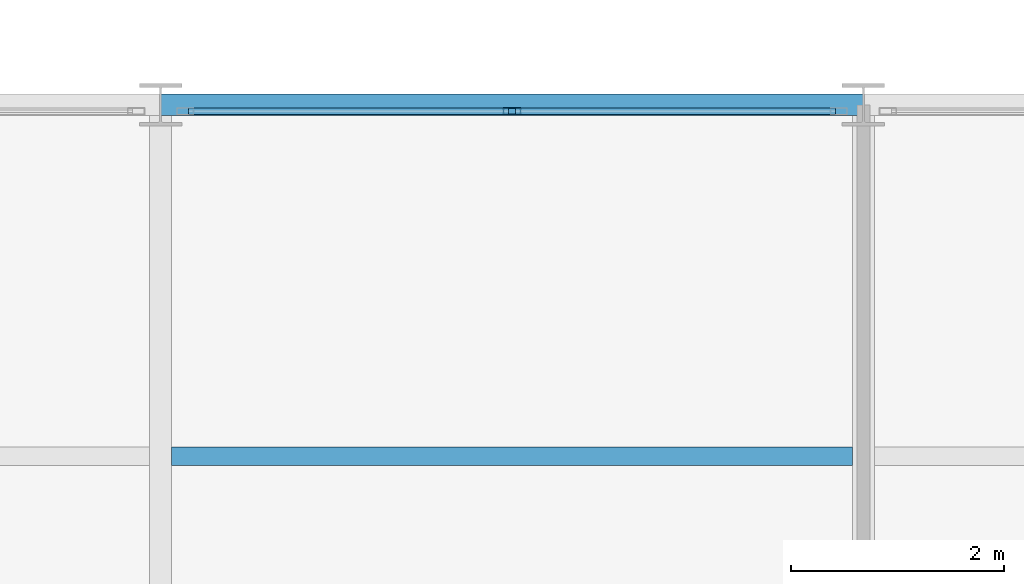
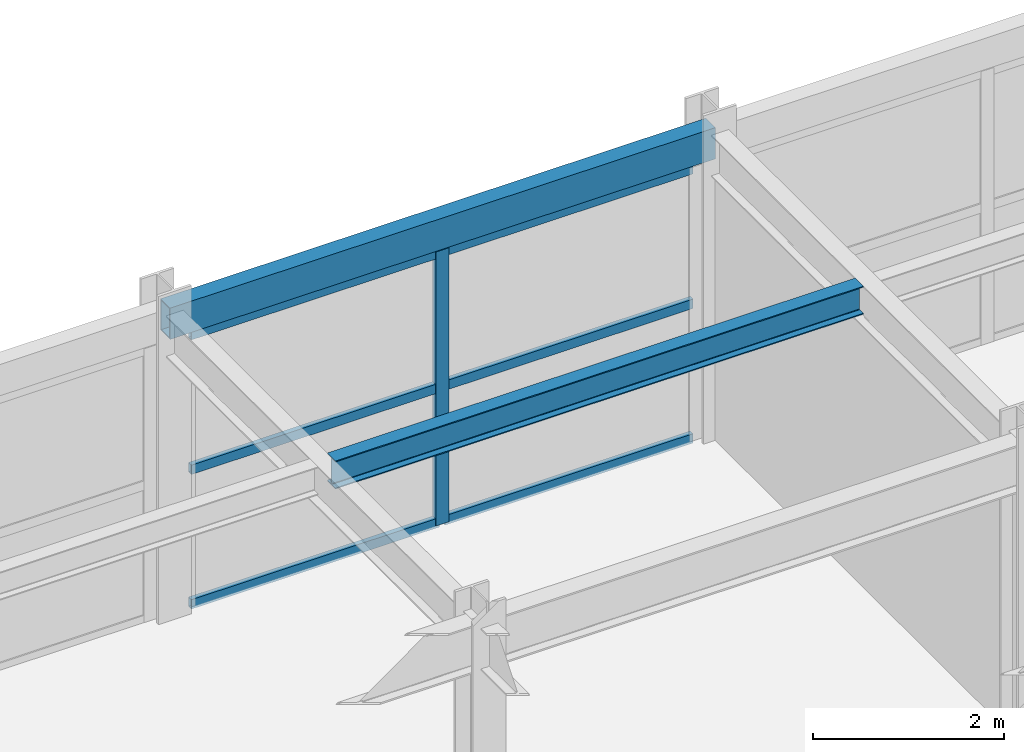
# One storey, part 68 of 157: 7 members, 2 beams, 1 element without a shape of its own.
"""IFC4 building model written with IfcOpenShell, lengths in metres."""

from ifc_helpers import new_model, si_unit, direction, frame, origin, origin_2d, place, context, subcontext, project, spatial, hollow_rectangle, i_section, extrude, material, material_profile, profile_set, type_object, element, aggregate, save


model = new_model("IFC4")

# Units and contexts
model_context = context("Model", 3, precision=1e-05, world=origin(), true_north=direction((0.0, 1.0)))
body_context = subcontext(model_context, "Body", "Model", "MODEL_VIEW")
ifc_project = project(units=[si_unit("LENGTHUNIT", "METRE"), si_unit("AREAUNIT", "SQUARE_METRE"), si_unit("VOLUMEUNIT", "CUBIC_METRE"), si_unit("PLANEANGLEUNIT", "RADIAN"), si_unit("MASSUNIT", "GRAM", prefix="KILO")], contexts=[model_context])

# Site, building, storey
site_placement = place(None, origin())
site = spatial("IfcSite", under=ifc_project, at=site_placement, CompositionType="ELEMENT")
building_placement = place(site_placement, origin())
building = spatial("IfcBuilding", under=site, at=building_placement, Name="Karori Crest Natural Sciences Institute", CompositionType="ELEMENT")
storey_placement = place(building_placement, frame((0.0, 0.0, 13.300048828125)))
storey = spatial("IfcBuildingStorey", under=building, at=storey_placement, Name="L03", CompositionType="ELEMENT", Elevation=13.300048828125)

# Beams
ifc_material_1 = material(Name="Structural steel AS/NZS 3679.1 Grade 350", Category="steel")
ifc_material_profile_1 = material_profile(ifc_material_1, i_section(OverallWidth=0.172119140625, OverallDepth=0.35888671875, WebThickness=0.008056640625, FlangeThickness=0.012939453125, FilletRadius=0.010986328125, at=origin_2d()), Name="360UB56.7")
ifc_profile_set_1 = profile_set([ifc_material_profile_1], Name="Structural steel AS/NZS 3679.1 Grade 350")
beam_type_1 = type_object("IfcBeamType", Name="BT-08", PredefinedType="BEAM", material=ifc_profile_set_1)
beam_1_placement = place(storey_placement, frame((123.50439453125, 17.300048828125, 3.740478515625), z_axis=(1.0, 0.0, 0.0), x_axis=(0.0, 1.0, 0.0)))
element("IfcBeam", 1, at=beam_1_placement, inside=storey, type_object=beam_type_1, Name="Beam B-2353", PredefinedType="BEAM", context=body_context, shape_type="SweptSolid", body=[
    extrude(i_section(OverallWidth=0.172119140625, OverallDepth=0.35888671875, WebThickness=0.008056640625, FlangeThickness=0.012939453125, FilletRadius=0.010986328125, at=origin_2d()), origin(), (0.0, 0.0, 1.0), 6.39111328125),
])
ifc_material_2 = material(Name="Hollow structural steel AS/NZS 1163 Grade C350", Category="steel")
ifc_material_profile_2 = material_profile(ifc_material_2, hollow_rectangle(XDim=0.199951171875, YDim=0.39990234375, WallThickness=0.012451171875, at=origin_2d()), Name="RHS400x200x12.5")
ifc_profile_set_2 = profile_set([ifc_material_profile_2], Name="Hollow structural steel AS/NZS 1163 Grade C350")
beam_type_2 = type_object("IfcBeamType", Name="BT-14", PredefinedType="SPANDREL", material=ifc_profile_set_2)
beam_2_placement = place(storey_placement, frame((123.39990234375, 20.60009765625, 3.719970703125), z_axis=(1.0, 0.0, 0.0), x_axis=(0.0, 1.0, 0.0)))
element("IfcBeam", 2, at=beam_2_placement, inside=storey, type_object=beam_type_2, Name="Beam B-2309", PredefinedType="SPANDREL", context=body_context, shape_type="SweptSolid", body=[
    extrude(hollow_rectangle(XDim=0.199951171875, YDim=0.39990234375, WallThickness=0.012451171875, at=origin_2d()), origin(), (0.0, 0.0, 1.0), 6.60009765625),
])

# Curtain wall, members
ifc_material_3 = material(Name="Anodised architectural aluminium 6063-T6", Category="aluminium")
curtain_wall_type = type_object("IfcCurtainWallType", Name="CWT-20", PredefinedType="NOTDEFINED", material=ifc_material_3)
curtain_wall_placement = place(storey_placement, origin())
curtain_wall = element("IfcCurtainWall", 3, at=curtain_wall_placement, inside=storey, type_object=curtain_wall_type, Name="Curtain wall CW-0325", PredefinedType="NOTDEFINED")
ifc_material_profile_3 = material_profile(ifc_material_3, hollow_rectangle(XDim=0.06494140625, YDim=0.159912109375, WallThickness=0.00390625, at=origin_2d()), Name="CWM160x65x4")
ifc_profile_set_3 = profile_set([ifc_material_profile_3], Name="Anodised architectural aluminium 6063-T6")
member_type_1 = type_object("IfcMemberType", Name="CWM-01", PredefinedType="MULLION", material=ifc_profile_set_3)
member_1_placement = place(storey_placement, frame((126.699951171875, 20.5400390625, 0.0), z_axis=(0.0, 0.0, 1.0), x_axis=(0.0, 1.0, 0.0)))
member_1 = element("IfcMember", 4, at=member_1_placement, type_object=member_type_1, Name="CW-0325 mullion 2", PredefinedType="MULLION", context=body_context, shape_type="SweptSolid", body=[
    extrude(hollow_rectangle(XDim=0.06494140625, YDim=0.159912109375, WallThickness=0.00390625, at=origin_2d()), origin(), (0.0, 0.0, 1.0), 3.5048828125),
])
ifc_material_profile_4 = material_profile(ifc_material_3, hollow_rectangle(XDim=0.06005859375, YDim=0.1201171875, WallThickness=0.00390625, at=origin_2d()), Name="CWT120x60x4")
ifc_profile_set_4 = profile_set([ifc_material_profile_4], Name="Anodised architectural aluminium 6063-T6")
member_type_2 = type_object("IfcMemberType", Name="CWT-TR1", PredefinedType="USERDEFINED", material=ifc_profile_set_4)
member_2_placement = place(storey_placement, frame((123.6630859375, 20.5400390625, 0.030029296875), z_axis=(1.0, 0.0, 0.0), x_axis=(0.0, 1.0, 0.0)))
member_2 = element("IfcMember", 5, at=member_2_placement, type_object=member_type_2, Name="CW-0325 transom 1.1", ObjectType="TRANSOM", PredefinedType="USERDEFINED", context=body_context, shape_type="SweptSolid", body=[
    extrude(hollow_rectangle(XDim=0.06005859375, YDim=0.1201171875, WallThickness=0.00390625, at=origin_2d()), origin(), (0.0, 0.0, 1.0), 3.00439453125),
])
member_3_placement = place(storey_placement, frame((123.6630859375, 20.5400390625, 1.75244140625), z_axis=(1.0, 0.0, 0.0), x_axis=(0.0, 1.0, 0.0)))
member_3 = element("IfcMember", 6, at=member_3_placement, type_object=member_type_2, Name="CW-0325 transom 1.2", ObjectType="TRANSOM", PredefinedType="USERDEFINED", context=body_context, shape_type="SweptSolid", body=[
    extrude(hollow_rectangle(XDim=0.06005859375, YDim=0.1201171875, WallThickness=0.00390625, at=origin_2d()), origin(), (0.0, 0.0, 1.0), 3.00439453125),
])
member_4_placement = place(storey_placement, frame((123.6630859375, 20.5400390625, 3.474853515625), z_axis=(1.0, 0.0, 0.0), x_axis=(0.0, 1.0, 0.0)))
member_4 = element("IfcMember", 7, at=member_4_placement, type_object=member_type_2, Name="CW-0325 transom 1.3", ObjectType="TRANSOM", PredefinedType="USERDEFINED", context=body_context, shape_type="SweptSolid", body=[
    extrude(hollow_rectangle(XDim=0.06005859375, YDim=0.1201171875, WallThickness=0.00390625, at=origin_2d()), origin(), (0.0, 0.0, 1.0), 3.00439453125),
])
member_5_placement = place(storey_placement, frame((126.732421875, 20.5400390625, 0.030029296875), z_axis=(1.0, 0.0, 0.0), x_axis=(0.0, 1.0, 0.0)))
member_5 = element("IfcMember", 8, at=member_5_placement, type_object=member_type_2, Name="CW-0325 transom 2.1", ObjectType="TRANSOM", PredefinedType="USERDEFINED", context=body_context, shape_type="SweptSolid", body=[
    extrude(hollow_rectangle(XDim=0.06005859375, YDim=0.1201171875, WallThickness=0.00390625, at=origin_2d()), origin(), (0.0, 0.0, 1.0), 3.004638671875),
])
member_6_placement = place(storey_placement, frame((126.732421875, 20.5400390625, 1.75244140625), z_axis=(1.0, 0.0, 0.0), x_axis=(0.0, 1.0, 0.0)))
member_6 = element("IfcMember", 9, at=member_6_placement, type_object=member_type_2, Name="CW-0325 transom 2.2", ObjectType="TRANSOM", PredefinedType="USERDEFINED", context=body_context, shape_type="SweptSolid", body=[
    extrude(hollow_rectangle(XDim=0.06005859375, YDim=0.1201171875, WallThickness=0.00390625, at=origin_2d()), origin(), (0.0, 0.0, 1.0), 3.004638671875),
])
member_7_placement = place(storey_placement, frame((126.732421875, 20.5400390625, 3.474853515625), z_axis=(1.0, 0.0, 0.0), x_axis=(0.0, 1.0, 0.0)))
member_7 = element("IfcMember", 10, at=member_7_placement, type_object=member_type_2, Name="CW-0325 transom 2.3", ObjectType="TRANSOM", PredefinedType="USERDEFINED", context=body_context, shape_type="SweptSolid", body=[
    extrude(hollow_rectangle(XDim=0.06005859375, YDim=0.1201171875, WallThickness=0.00390625, at=origin_2d()), origin(), (0.0, 0.0, 1.0), 3.004638671875),
])
aggregate(curtain_wall, [member_1, member_2, member_3, member_4, member_5, member_6, member_7])

save(model, "model.ifc")
